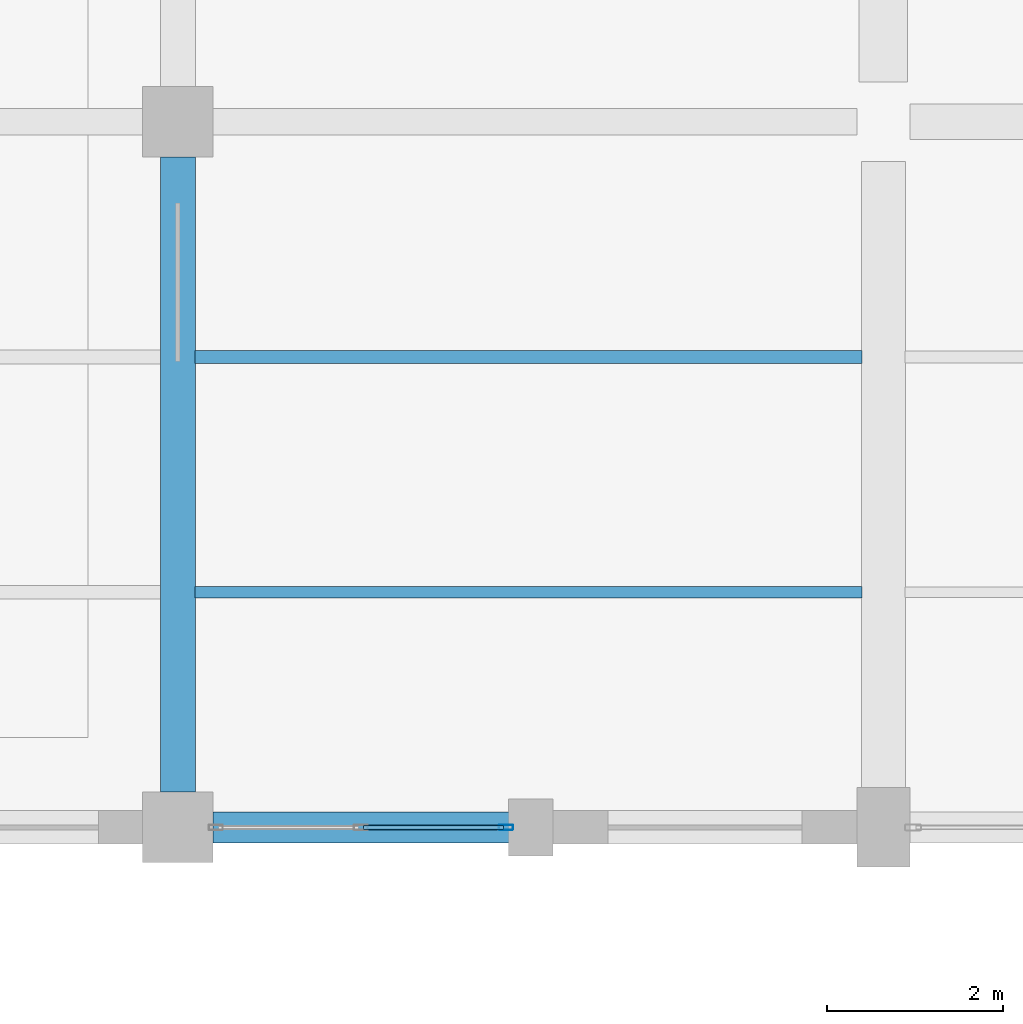
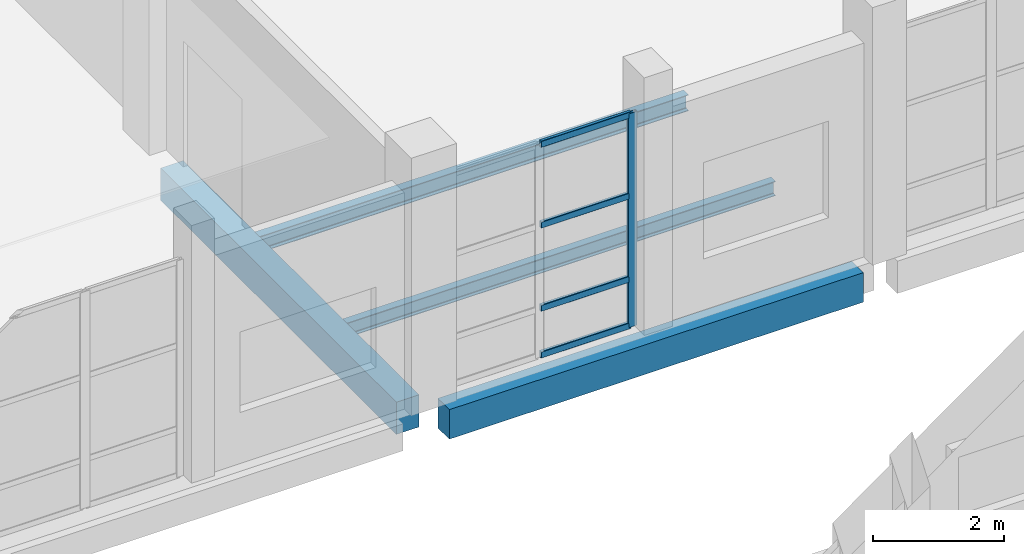
# One storey, part 81 of 156: 5 members, 4 beams, 1 element without a shape of its own.
"""IFC4 building model written with IfcOpenShell, lengths in metres."""

from ifc_helpers import new_model, si_unit, direction, frame, origin, origin_2d, place, context, subcontext, project, spatial, rectangle, hollow_rectangle, i_section, extrude, material, material_profile, profile_set, type_object, element, aggregate, save


model = new_model("IFC4")

# Units and contexts
model_context = context("Model", 3, precision=1e-05, world=origin(), true_north=direction((0.0, 1.0)))
body_context = subcontext(model_context, "Body", "Model", "MODEL_VIEW")
ifc_project = project(units=[si_unit("LENGTHUNIT", "METRE"), si_unit("AREAUNIT", "SQUARE_METRE"), si_unit("VOLUMEUNIT", "CUBIC_METRE"), si_unit("PLANEANGLEUNIT", "RADIAN"), si_unit("MASSUNIT", "GRAM", prefix="KILO")], contexts=[model_context])

# Site, building, storey
site_placement = place(None, origin())
site = spatial("IfcSite", under=ifc_project, at=site_placement, CompositionType="ELEMENT")
building_placement = place(site_placement, origin())
building = spatial("IfcBuilding", under=site, at=building_placement, Name="Luwemba Playhouse", CompositionType="ELEMENT")
storey_placement = place(building_placement, origin())
storey = spatial("IfcBuildingStorey", under=building, at=storey_placement, Name="L00", CompositionType="ELEMENT", Elevation=0.0)

# Beams
ifc_material_1 = material(Name="Concrete C40/50", Category="concrete")
ifc_material_profile_1 = material_profile(ifc_material_1, rectangle(XDim=0.39990234375, YDim=0.60009765625, at=origin_2d()))
ifc_profile_set_1 = profile_set([ifc_material_profile_1], Name="Concrete C40/50")
beam_type_1 = type_object("IfcBeamType", Name="BM-RB01", PredefinedType="BEAM", material=ifc_profile_set_1)
beam_1_placement = place(storey_placement, frame((140.0, 68.39990234375, -0.60009765625), z_axis=(0.0, 1.0, 0.0), x_axis=(-1.0, 0.0, 0.0)))
element("IfcBeam", 1, at=beam_1_placement, inside=storey, type_object=beam_type_1, Name="L00 transverse girder 0135", PredefinedType="BEAM", context=body_context, shape_type="SweptSolid", body=[
    extrude(rectangle(XDim=0.39990234375, YDim=0.60009765625, at=origin_2d()), origin(), (0.0, 0.0, 1.0), 7.2001953125),
])
ifc_material_2 = material(Name="Steel S355", Category="steel")
ifc_material_profile_2 = material_profile(ifc_material_2, i_section(OverallWidth=0.135009765625, OverallDepth=0.27001953125, WebThickness=0.006591796875, FlangeThickness=0.01025390625, FilletRadius=0.014892578125, at=origin_2d()))
ifc_profile_set_2 = profile_set([ifc_material_profile_2], Name="Steel S355")
beam_type_2 = type_object("IfcBeamType", Name="BM-SJ04", PredefinedType="JOIST", material=ifc_profile_set_2)
beam_2_placement = place(storey_placement, frame((140.196044921875, 70.666748046875, -0.43505859375), z_axis=(1.0, 0.0, 0.0), x_axis=(0.0, 1.0, 0.0)))
element("IfcBeam", 2, at=beam_2_placement, inside=storey, type_object=beam_type_2, Name="L00 composite floor joist 0102", PredefinedType="JOIST", context=body_context, shape_type="SweptSolid", body=[
    extrude(i_section(OverallWidth=0.135009765625, OverallDepth=0.27001953125, WebThickness=0.006591796875, FlangeThickness=0.01025390625, FilletRadius=0.014892578125, at=origin_2d()), origin(), (0.0, 0.0, 1.0), 7.557861328125),
])
ifc_material_profile_3 = material_profile(ifc_material_2, i_section(OverallWidth=0.14990234375, OverallDepth=0.300048828125, WebThickness=0.007080078125, FlangeThickness=0.0107421875, FilletRadius=0.014892578125, at=origin_2d()))
ifc_profile_set_3 = profile_set([ifc_material_profile_3], Name="Steel S355")
beam_type_3 = type_object("IfcBeamType", Name="BM-SJ05", PredefinedType="JOIST", material=ifc_profile_set_3)
beam_3_placement = place(storey_placement, frame((140.196044921875, 73.333251953125, -0.449951171875), z_axis=(1.0, 0.0, 0.0), x_axis=(0.0, 1.0, 0.0)))
element("IfcBeam", 3, at=beam_3_placement, inside=storey, type_object=beam_type_3, Name="L00 composite floor joist 0103", PredefinedType="JOIST", context=body_context, shape_type="SweptSolid", body=[
    extrude(i_section(OverallWidth=0.14990234375, OverallDepth=0.300048828125, WebThickness=0.007080078125, FlangeThickness=0.0107421875, FilletRadius=0.014892578125, at=origin_2d()), origin(), (0.0, 0.0, 1.0), 7.557861328125),
])
ifc_material_profile_4 = material_profile(ifc_material_1, rectangle(XDim=0.35009765625, YDim=0.550048828125, at=origin_2d()))
ifc_profile_set_4 = profile_set([ifc_material_profile_4], Name="Concrete C40/50")
beam_type_4 = type_object("IfcBeamType", Name="BM-SP2", PredefinedType="SPANDREL", material=ifc_profile_set_4)
beam_4_placement = place(storey_placement, frame((140.39990234375, 68.0, -0.574951171875), z_axis=(1.0, 0.0, 0.0), x_axis=(0.0, 1.0, 0.0)))
element("IfcBeam", 4, at=beam_4_placement, inside=storey, type_object=beam_type_4, Name="L00 grid girder 0113", PredefinedType="SPANDREL", context=body_context, shape_type="SweptSolid", body=[
    extrude(rectangle(XDim=0.35009765625, YDim=0.550048828125, at=origin_2d()), origin(), (0.0, 0.0, 1.0), 7.300048828125),
])

# Curtain wall, members
ifc_material_3 = material(Name="Solar-control double glazing", Category="glass")
curtain_wall_type = type_object("IfcCurtainWallType", Name="CW-CW22", PredefinedType="USERDEFINED", material=ifc_material_3)
curtain_wall_placement = place(storey_placement, origin())
curtain_wall = element("IfcCurtainWall", 5, at=curtain_wall_placement, inside=storey, type_object=curtain_wall_type, Name="L00 V4 unitised curtain wall 023", ObjectType="UNITISED GLAZING", PredefinedType="USERDEFINED")
ifc_material_4 = material(Name="Aluminium 6063-T6", Category="aluminium")
ifc_material_profile_5 = material_profile(ifc_material_4, hollow_rectangle(XDim=0.06005859375, YDim=0.159912109375, WallThickness=0.00390625, InnerFilletRadius=0.006103515625, OuterFilletRadius=0.010009765625, at=origin_2d()))
ifc_profile_set_5 = profile_set([ifc_material_profile_5], Name="Aluminium 6063-T6")
member_type_1 = type_object("IfcMemberType", Name="CWM-M1", PredefinedType="MULLION", material=ifc_profile_set_5)
member_1_placement = place(storey_placement, frame((143.719970703125, 68.0, 0.0), z_axis=(0.0, 0.0, 1.0), x_axis=(0.0, -1.0, 0.0)))
member_1 = element("IfcMember", 6, at=member_1_placement, type_object=member_type_1, Name="CW22 mullion 1", PredefinedType="MULLION", context=body_context, shape_type="SweptSolid", body=[
    extrude(hollow_rectangle(XDim=0.06005859375, YDim=0.159912109375, WallThickness=0.00390625, InnerFilletRadius=0.006103515625, OuterFilletRadius=0.010009765625, at=origin_2d()), origin(), (0.0, 0.0, 1.0), 3.985107421875),
])
ifc_material_profile_6 = material_profile(ifc_material_4, hollow_rectangle(XDim=0.06005859375, YDim=0.1201171875, WallThickness=0.00390625, InnerFilletRadius=0.006103515625, OuterFilletRadius=0.010009765625, at=origin_2d()))
ifc_profile_set_6 = profile_set([ifc_material_profile_6], Name="Aluminium 6063-T6")
member_type_2 = type_object("IfcMemberType", Name="CWT-T1", PredefinedType="USERDEFINED", material=ifc_profile_set_6)
member_2_placement = place(storey_placement, frame((143.68994140625, 68.0, 0.030029296875), z_axis=(-1.0, 0.0, 0.0), x_axis=(0.0, -1.0, 0.0)))
member_2 = element("IfcMember", 7, at=member_2_placement, type_object=member_type_2, Name="CW22 transom 1.1", ObjectType="TRANSOM", PredefinedType="USERDEFINED", context=body_context, shape_type="SweptSolid", body=[
    extrude(hollow_rectangle(XDim=0.06005859375, YDim=0.1201171875, WallThickness=0.00390625, InnerFilletRadius=0.006103515625, OuterFilletRadius=0.010009765625, at=origin_2d()), origin(), (0.0, 0.0, 1.0), 1.5849609375),
])
member_3_placement = place(storey_placement, frame((143.68994140625, 68.0, 0.89990234375), z_axis=(-1.0, 0.0, 0.0), x_axis=(0.0, -1.0, 0.0)))
member_3 = element("IfcMember", 8, at=member_3_placement, type_object=member_type_2, Name="CW22 transom 1.2", ObjectType="TRANSOM", PredefinedType="USERDEFINED", context=body_context, shape_type="SweptSolid", body=[
    extrude(hollow_rectangle(XDim=0.06005859375, YDim=0.1201171875, WallThickness=0.00390625, InnerFilletRadius=0.006103515625, OuterFilletRadius=0.010009765625, at=origin_2d()), origin(), (0.0, 0.0, 1.0), 1.5849609375),
])
member_4_placement = place(storey_placement, frame((143.68994140625, 68.0, 2.449951171875), z_axis=(-1.0, 0.0, 0.0), x_axis=(0.0, -1.0, 0.0)))
member_4 = element("IfcMember", 9, at=member_4_placement, type_object=member_type_2, Name="CW22 transom 1.3", ObjectType="TRANSOM", PredefinedType="USERDEFINED", context=body_context, shape_type="SweptSolid", body=[
    extrude(hollow_rectangle(XDim=0.06005859375, YDim=0.1201171875, WallThickness=0.00390625, InnerFilletRadius=0.006103515625, OuterFilletRadius=0.010009765625, at=origin_2d()), origin(), (0.0, 0.0, 1.0), 1.5849609375),
])
member_5_placement = place(storey_placement, frame((143.68994140625, 68.0, 3.955078125), z_axis=(-1.0, 0.0, 0.0), x_axis=(0.0, -1.0, 0.0)))
member_5 = element("IfcMember", 10, at=member_5_placement, type_object=member_type_2, Name="CW22 transom 1.4", ObjectType="TRANSOM", PredefinedType="USERDEFINED", context=body_context, shape_type="SweptSolid", body=[
    extrude(hollow_rectangle(XDim=0.06005859375, YDim=0.1201171875, WallThickness=0.00390625, InnerFilletRadius=0.006103515625, OuterFilletRadius=0.010009765625, at=origin_2d()), origin(), (0.0, 0.0, 1.0), 1.5849609375),
])
aggregate(curtain_wall, [member_1, member_2, member_3, member_4, member_5])

save(model, "model.ifc")
